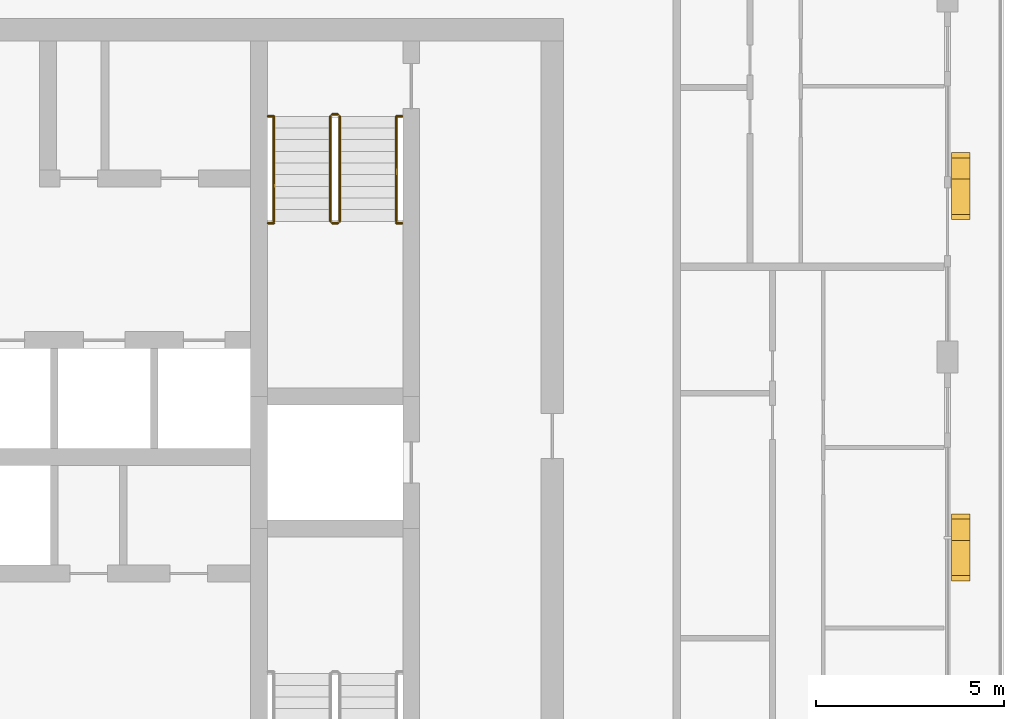
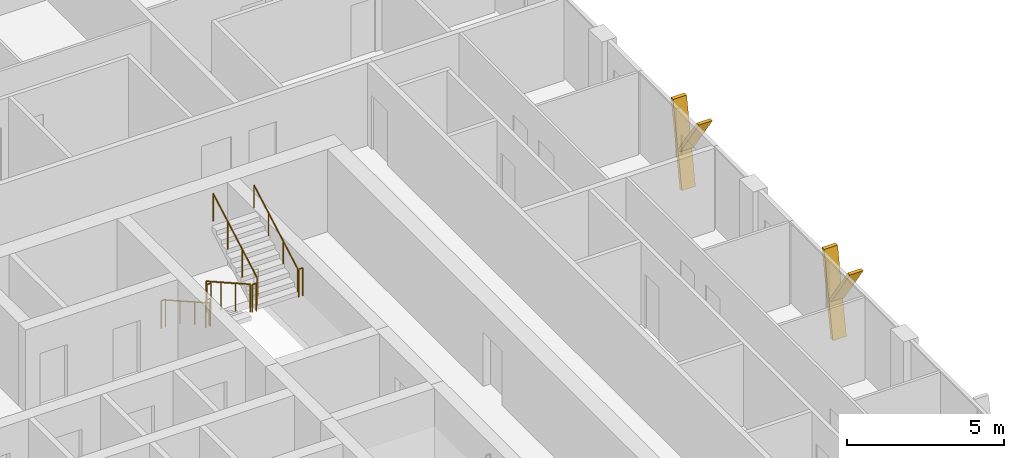
# One storey, part 20 of 21: 10 railings, 4 shading devices.
"""IFC4 building model written with IfcOpenShell, lengths in metres."""

from ifc_helpers import new_model, si_unit, direction, frame, origin, origin_2d, place, context, subcontext, project, spatial, polyline, circle, outline, extrude, material, type_object, element, save


model = new_model("IFC4")

# Units and contexts
model_context = context("Model", 3, precision=1e-05, world=origin(), true_north=direction((0.0, 1.0)))
body_context = subcontext(model_context, "Body", "Model", "MODEL_VIEW")
ifc_project = project(units=[si_unit("LENGTHUNIT", "METRE"), si_unit("AREAUNIT", "SQUARE_METRE"), si_unit("VOLUMEUNIT", "CUBIC_METRE"), si_unit("PLANEANGLEUNIT", "RADIAN"), si_unit("MASSUNIT", "GRAM", prefix="KILO")], contexts=[model_context])

# Site, building, storey
site_placement = place(None, origin())
site = spatial("IfcSite", under=ifc_project, at=site_placement, CompositionType="ELEMENT")
building_placement = place(site_placement, origin())
building = spatial("IfcBuilding", under=site, at=building_placement, Name="Madar Terraces", CompositionType="ELEMENT")
storey_placement = place(building_placement, frame((0.0, 0.0, 245.699951171875)))
storey = spatial("IfcBuildingStorey", under=building, at=storey_placement, Name="L64", CompositionType="ELEMENT", Elevation=245.699951171875)

# Shading devices
ifc_material_1 = material(Name="Aluminium, black anodised", Category="aluminium")
shading_device_type = type_object("IfcShadingDeviceType", Name="Facade fin blade 140 x 500", PredefinedType="USERDEFINED", material=ifc_material_1)
shading_device_1_placement = place(storey_placement, frame((57.949951171875, 23.929931640625, 0.0), z_axis=(0.0, 0.0, 1.0), x_axis=(0.0, 1.0, 0.0)))
element("IfcShadingDevice", 1, at=shading_device_1_placement, inside=storey, type_object=shading_device_type, Name="FIN L64 E2", ObjectType="FIN", PredefinedType="USERDEFINED", context=body_context, shape_type="SweptSolid", body=[
    extrude(outline(polyline([(0.0, 0.0), (0.14013671875, 0.0), (0.704345703125, 3.199951171875), (0.564208984375, 3.199951171875), (0.0, 0.0)])), frame((0.0, 0.25, 0.0), z_axis=(0.0, -1.0, 0.0), x_axis=(1.0, 0.0, 0.0)), (0.0, 0.0, 1.0), 0.5),
])
shading_device_2_placement = place(storey_placement, frame((57.949951171875, 24.0439453125, 1.43994140625), z_axis=(0.0, 0.0, 1.0), x_axis=(0.0, 1.0, 0.0)))
element("IfcShadingDevice", 2, at=shading_device_2_placement, inside=storey, type_object=shading_device_type, Name="FIN L64 E2 branch", ObjectType="FIN", PredefinedType="USERDEFINED", context=body_context, shape_type="SweptSolid", body=[
    extrude(outline(polyline([(0.0, 0.0), (0.139892578125, 0.0), (-1.049560546875, 1.760009765625), (-1.189697265625, 1.760009765625), (0.0, 0.0)])), frame((0.0, 0.25, 0.0), z_axis=(0.0, -1.0, 0.0), x_axis=(1.0, 0.0, 0.0)), (0.0, 0.0, 1.0), 0.5),
])
shading_device_3_placement = place(storey_placement, frame((57.949951171875, 33.530029296875, 0.0), z_axis=(0.0, 0.0, 1.0), x_axis=(0.0, 1.0, 0.0)))
element("IfcShadingDevice", 3, at=shading_device_3_placement, inside=storey, type_object=shading_device_type, Name="FIN L64 E3", ObjectType="FIN", PredefinedType="USERDEFINED", context=body_context, shape_type="SweptSolid", body=[
    extrude(outline(polyline([(0.0, 0.0), (0.139892578125, 0.0), (0.704345703125, 3.199951171875), (0.564208984375, 3.199951171875), (0.0, 0.0)])), frame((0.0, 0.25, 0.0), z_axis=(0.0, -1.0, 0.0), x_axis=(1.0, 0.0, 0.0)), (0.0, 0.0, 1.0), 0.5),
])
shading_device_4_placement = place(storey_placement, frame((57.949951171875, 33.643798828125, 1.43994140625), z_axis=(0.0, 0.0, 1.0), x_axis=(0.0, 1.0, 0.0)))
element("IfcShadingDevice", 4, at=shading_device_4_placement, inside=storey, type_object=shading_device_type, Name="FIN L64 E3 branch", ObjectType="FIN", PredefinedType="USERDEFINED", context=body_context, shape_type="SweptSolid", body=[
    extrude(outline(polyline([(0.0, 0.0), (0.14013671875, 0.0), (-1.049560546875, 1.760009765625), (-1.189697265625, 1.760009765625), (0.0, 0.0)])), frame((0.0, 0.25, 0.0), z_axis=(0.0, -1.0, 0.0), x_axis=(1.0, 0.0, 0.0)), (0.0, 0.0, 1.0), 0.5),
])

# Railings
ifc_material_2 = material(Name="Stainless steel railing", Category="steel")
railing_type_1 = type_object("IfcRailingType", Name="Stair guard 1100", PredefinedType="GUARDRAIL", material=ifc_material_2)
railing_1_placement = place(storey_placement, frame((41.199951171875, 35.199951171875, 0.175048828125)))
element("IfcRailing", 5, at=railing_1_placement, inside=storey, type_object=railing_type_1, Name="L64 ST2 stair guard 1", PredefinedType="GUARDRAIL", context=body_context, shape_type="SweptSolid", body=[
    extrude(circle(Radius=0.02392578125, at=origin_2d()), frame((0.0, 0.0, 1.076171875), z_axis=(0.0, -0.870833779661, 0.491577591232), x_axis=(1.0, 0.0, 0.0)), (0.0, 0.0, 1.0), 3.203857421875),
    extrude(circle(Radius=0.02099609375, at=origin_2d()), origin(), (0.0, 0.0, 1.0), 1.052001953125),
    extrude(circle(Radius=0.02099609375, at=origin_2d()), frame((0.0, -0.929931640625, 0.52490234375)), (0.0, 0.0, 1.0), 1.052001953125),
    extrude(circle(Radius=0.02099609375, at=origin_2d()), frame((0.0, -1.860107421875, 1.050048828125)), (0.0, 0.0, 1.0), 1.052001953125),
    extrude(circle(Radius=0.02099609375, at=origin_2d()), frame((0.0, -2.7900390625, 1.574951171875)), (0.0, 0.0, 1.0), 1.052001953125),
])
railing_2_placement = place(storey_placement, frame((41.25, 32.360107421875, 1.75)))
element("IfcRailing", 6, at=railing_2_placement, inside=storey, type_object=railing_type_1, Name="L64 ST2 stair guard 2", PredefinedType="GUARDRAIL", context=body_context, shape_type="SweptSolid", body=[
    extrude(circle(Radius=0.02392578125, at=origin_2d()), frame((0.0, 0.0, 1.076171875), z_axis=(1.0, 0.0, 0.0), x_axis=(0.0, 1.0, 0.0)), (0.0, 0.0, 1.0), 0.14990234375),
    extrude(circle(Radius=0.02099609375, at=origin_2d()), origin(), (0.0, 0.0, 1.0), 1.052001953125),
    extrude(circle(Radius=0.02099609375, at=origin_2d()), frame((0.14990234375, 0.0, 0.0)), (0.0, 0.0, 1.0), 1.052001953125),
])
railing_3_placement = place(storey_placement, frame((41.449951171875, 32.409912109375, 1.925048828125)))
element("IfcRailing", 7, at=railing_3_placement, inside=storey, type_object=railing_type_1, Name="L64 ST2 stair guard 3", PredefinedType="GUARDRAIL", context=body_context, shape_type="SweptSolid", body=[
    extrude(circle(Radius=0.02392578125, at=origin_2d()), frame((0.0, 0.0, 1.076171875), z_axis=(0.0, 0.870833779661, 0.491577591232), x_axis=(-1.0, 0.0, 0.0)), (0.0, 0.0, 1.0), 3.203857421875),
    extrude(circle(Radius=0.02099609375, at=origin_2d()), origin(), (0.0, 0.0, 1.0), 1.052001953125),
    extrude(circle(Radius=0.02099609375, at=origin_2d()), frame((0.0, 0.929931640625, 0.52490234375)), (0.0, 0.0, 1.0), 1.052001953125),
    extrude(circle(Radius=0.02099609375, at=origin_2d()), frame((0.0, 1.860107421875, 1.050048828125)), (0.0, 0.0, 1.0), 1.052001953125),
    extrude(circle(Radius=0.02099609375, at=origin_2d()), frame((0.0, 2.7900390625, 1.574951171875)), (0.0, 0.0, 1.0), 1.052001953125),
])
railing_4_placement = place(storey_placement, frame((41.25, 35.25, 0.0)))
element("IfcRailing", 8, at=railing_4_placement, inside=storey, type_object=railing_type_1, Name="L64 ST2 stair guard 4", PredefinedType="GUARDRAIL", context=body_context, shape_type="SweptSolid", body=[
    extrude(circle(Radius=0.02392578125, at=origin_2d()), frame((0.0, 0.0, 1.076171875), z_axis=(1.0, 0.0, 0.0), x_axis=(0.0, 1.0, 0.0)), (0.0, 0.0, 1.0), 0.14990234375),
    extrude(circle(Radius=0.02099609375, at=origin_2d()), origin(), (0.0, 0.0, 1.0), 1.052001953125),
    extrude(circle(Radius=0.02099609375, at=origin_2d()), frame((0.14990234375, 0.0, 0.0)), (0.0, 0.0, 1.0), 1.052001953125),
])
for number, where, name in (
    (9, (39.544921875, 32.360107421875, 1.75), "L64 stair guard seat 1"),
    (10, (42.949951171875, 32.360107421875, 1.75), "L64 stair guard seat 2"),
    (11, (39.544921875, 35.199951171875, 0.0), "L64 stair guard floor 1"),
    (12, (42.949951171875, 35.199951171875, 0.0), "L64 stair guard floor 2"),
):
    element("IfcRailing", number, at=place(storey_placement, frame(where)), inside=storey, type_object=railing_type_1, Name=name, PredefinedType="GUARDRAIL", context=body_context, shape_type="SweptSolid", body=[
        extrude(circle(Radius=0.02392578125, at=origin_2d()), frame((0.0, 0.0, 1.076171875), z_axis=(1.0, 0.0, 0.0), x_axis=(0.0, 1.0, 0.0)), (0.0, 0.0, 1.0), 0.155029296875),
        extrude(circle(Radius=0.02099609375, at=origin_2d()), origin(), (0.0, 0.0, 1.0), 1.052001953125),
        extrude(circle(Radius=0.02099609375, at=origin_2d()), frame((0.155029296875, 0.0, 0.0)), (0.0, 0.0, 1.0), 1.052001953125),
    ])
ifc_material_3 = material(Name="Stainless steel railing", Category="steel")
railing_type_2 = type_object("IfcRailingType", Name="Stair handrail 900", PredefinedType="HANDRAIL", material=ifc_material_3)
railing_5_placement = place(storey_placement, frame((39.699951171875, 35.199951171875, 0.175048828125)))
element("IfcRailing", 13, at=railing_5_placement, inside=storey, type_object=railing_type_2, Name="L64 ST2 stair handrail 1", PredefinedType="HANDRAIL", context=body_context, shape_type="SweptSolid", body=[
    extrude(circle(Radius=0.02392578125, at=origin_2d()), frame((0.0, 0.0, 0.8759765625), z_axis=(0.0, -0.870833779661, 0.491577591232), x_axis=(1.0, 0.0, 0.0)), (0.0, 0.0, 1.0), 3.203857421875),
    extrude(circle(Radius=0.02099609375, at=origin_2d()), origin(), (0.0, 0.0, 1.0), 0.851806640625),
    extrude(circle(Radius=0.02099609375, at=origin_2d()), frame((0.0, -0.929931640625, 0.52490234375)), (0.0, 0.0, 1.0), 0.851806640625),
    extrude(circle(Radius=0.02099609375, at=origin_2d()), frame((0.0, -1.860107421875, 1.050048828125)), (0.0, 0.0, 1.0), 0.851806640625),
    extrude(circle(Radius=0.02099609375, at=origin_2d()), frame((0.0, -2.7900390625, 1.574951171875)), (0.0, 0.0, 1.0), 0.851806640625),
])
railing_6_placement = place(storey_placement, frame((42.949951171875, 32.409912109375, 1.925048828125)))
element("IfcRailing", 14, at=railing_6_placement, inside=storey, type_object=railing_type_2, Name="L64 ST2 stair handrail 2", PredefinedType="HANDRAIL", context=body_context, shape_type="SweptSolid", body=[
    extrude(circle(Radius=0.02392578125, at=origin_2d()), frame((0.0, 0.0, 0.8759765625), z_axis=(0.0, 0.870833779661, 0.491577591232), x_axis=(-1.0, 0.0, 0.0)), (0.0, 0.0, 1.0), 3.203857421875),
    extrude(circle(Radius=0.02099609375, at=origin_2d()), origin(), (0.0, 0.0, 1.0), 0.851806640625),
    extrude(circle(Radius=0.02099609375, at=origin_2d()), frame((0.0, 0.929931640625, 0.52490234375)), (0.0, 0.0, 1.0), 0.851806640625),
    extrude(circle(Radius=0.02099609375, at=origin_2d()), frame((0.0, 1.860107421875, 1.050048828125)), (0.0, 0.0, 1.0), 0.851806640625),
    extrude(circle(Radius=0.02099609375, at=origin_2d()), frame((0.0, 2.7900390625, 1.574951171875)), (0.0, 0.0, 1.0), 0.851806640625),
])

save(model, "model.ifc")
